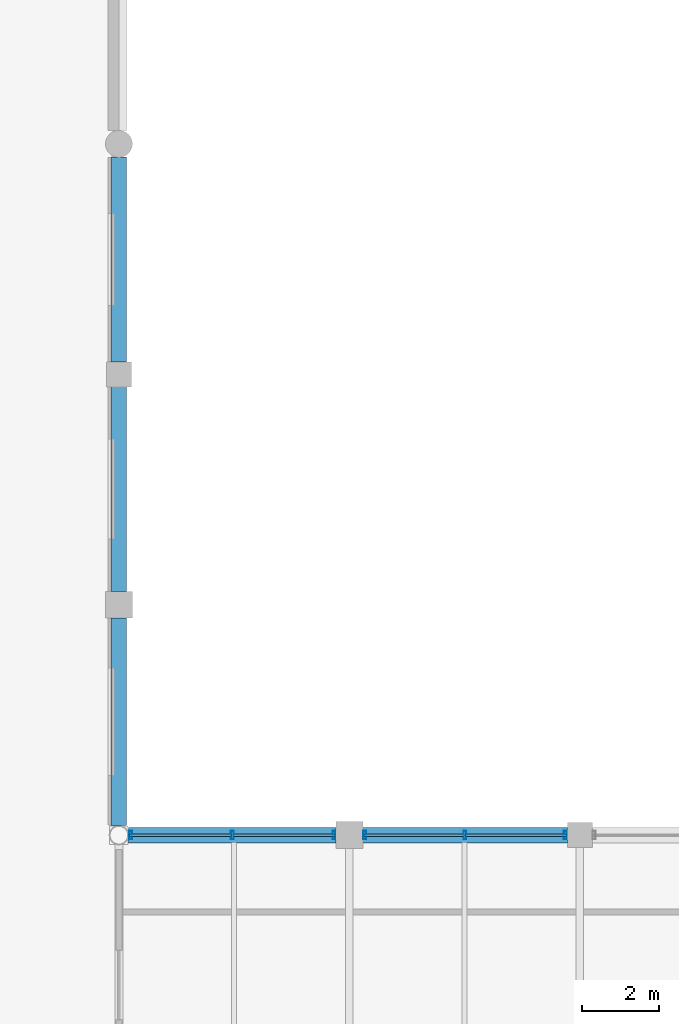
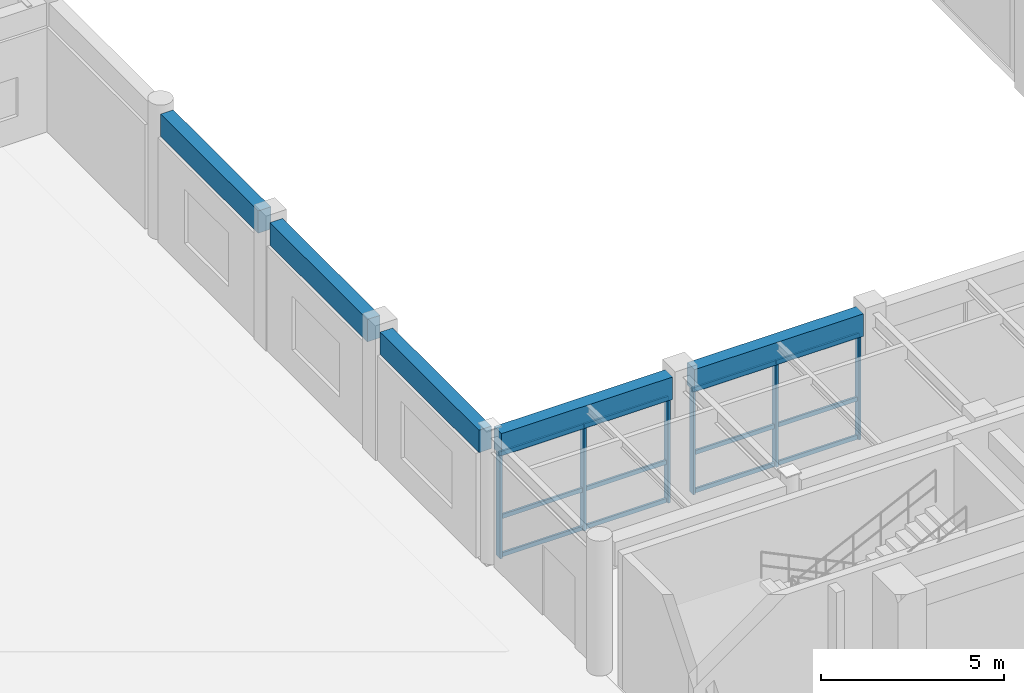
# One storey, part 25 of 116: 18 members, 5 beams, 2 elements without a shape of their own.
"""IFC4 building model written with IfcOpenShell, lengths in metres."""

from ifc_helpers import new_model, si_unit, direction, frame, origin, origin_2d, place, context, subcontext, project, spatial, rectangle, hollow_rectangle, extrude, material, material_profile, profile_set, type_object, element, aggregate, save


model = new_model("IFC4")

# Units and contexts
model_context = context("Model", 3, precision=1e-05, world=origin(), true_north=direction((0.0, 1.0)))
body_context = subcontext(model_context, "Body", "Model", "MODEL_VIEW")
ifc_project = project(units=[si_unit("LENGTHUNIT", "METRE"), si_unit("AREAUNIT", "SQUARE_METRE"), si_unit("VOLUMEUNIT", "CUBIC_METRE"), si_unit("PLANEANGLEUNIT", "RADIAN"), si_unit("MASSUNIT", "GRAM", prefix="KILO"), si_unit("THERMODYNAMICTEMPERATUREUNIT", "KELVIN"), si_unit("POWERUNIT", "WATT")], contexts=[model_context])

# Site, building, storey
site_placement = place(None, origin())
site = spatial("IfcSite", under=ifc_project, at=site_placement, CompositionType="ELEMENT")
building_placement = place(site_placement, origin())
building = spatial("IfcBuilding", under=site, at=building_placement, Name="Phaisarnlok Congress Hotel", CompositionType="ELEMENT")
storey_placement = place(building_placement, frame((0.0, 0.0, 10.5)))
storey = spatial("IfcBuildingStorey", under=building, at=storey_placement, Name="L02", CompositionType="ELEMENT", Elevation=10.5)

# Curtain wall, members
ifc_material_1 = material(Name="Thermally Broken Unitised Aluminium & Low-E Glazing", Category="aluminium")
curtain_wall_type_1 = type_object("IfcCurtainWallType", Name="CW-UNIT-16", PredefinedType="NOTDEFINED", material=ifc_material_1)
curtain_wall_1_placement = place(storey_placement, origin())
curtain_wall_1 = element("IfcCurtainWall", 1, at=curtain_wall_1_placement, inside=storey, type_object=curtain_wall_type_1, Name="Unitised curtain wall CW-16 (L02)", PredefinedType="NOTDEFINED")
ifc_material_2 = material(Name="Anodised Aluminium Alloy 6063-T6", Category="aluminium")
ifc_material_profile_1 = material_profile(ifc_material_2, hollow_rectangle(XDim=0.074951171875, YDim=0.219970703125, WallThickness=0.0048828125, at=origin_2d()), Name="ALU-M 75x220x5")
ifc_profile_set_1 = profile_set([ifc_material_profile_1], Name="Anodised Aluminium Alloy 6063-T6")
member_type_1 = type_object("IfcMemberType", Name="CWM-220", PredefinedType="MULLION", material=ifc_profile_set_1)
member_1_placement = place(storey_placement, frame((53.625, 96.0, 0.0), z_axis=(0.0, 0.0, 1.0), x_axis=(-1.0, 0.0, 0.0)))
member_1 = element("IfcMember", 2, at=member_1_placement, type_object=member_type_1, Name="Curtain wall mullion CWM-02", PredefinedType="MULLION", context=body_context, shape_type="SweptSolid", body=[
    extrude(hollow_rectangle(XDim=0.074951171875, YDim=0.219970703125, WallThickness=0.0048828125, at=origin_2d()), origin(), (0.0, 0.0, 1.0), 3.489990234375),
])
member_2_placement = place(storey_placement, frame((51.012451171875, 96.0, 0.0), z_axis=(0.0, 0.0, 1.0), x_axis=(-1.0, 0.0, 0.0)))
member_2 = element("IfcMember", 3, at=member_2_placement, type_object=member_type_1, Name="Curtain wall mullion CWM-02", PredefinedType="MULLION", context=body_context, shape_type="SweptSolid", body=[
    extrude(hollow_rectangle(XDim=0.074951171875, YDim=0.219970703125, WallThickness=0.0048828125, at=origin_2d()), origin(), (0.0, 0.0, 1.0), 3.489990234375),
])
member_3_placement = place(storey_placement, frame((48.39990234375, 96.0, 0.0), z_axis=(0.0, 0.0, 1.0), x_axis=(-1.0, 0.0, 0.0)))
member_3 = element("IfcMember", 4, at=member_3_placement, type_object=member_type_1, Name="Curtain wall mullion CWM-02", PredefinedType="MULLION", context=body_context, shape_type="SweptSolid", body=[
    extrude(hollow_rectangle(XDim=0.074951171875, YDim=0.219970703125, WallThickness=0.0048828125, at=origin_2d()), origin(), (0.0, 0.0, 1.0), 3.489990234375),
])

curtain_wall_type_2 = type_object("IfcCurtainWallType", Name="CW-UNIT-17", PredefinedType="NOTDEFINED", material=ifc_material_1)
curtain_wall_2_placement = place(storey_placement, origin())
curtain_wall_2 = element("IfcCurtainWall", 5, at=curtain_wall_2_placement, inside=storey, type_object=curtain_wall_type_2, Name="Unitised curtain wall CW-17 (L02)", PredefinedType="NOTDEFINED")
member_4_placement = place(storey_placement, frame((47.60009765625, 96.0, 0.0), z_axis=(0.0, 0.0, 1.0), x_axis=(-1.0, 0.0, 0.0)))
member_4 = element("IfcMember", 6, at=member_4_placement, type_object=member_type_1, Name="Curtain wall mullion CWM-02", PredefinedType="MULLION", context=body_context, shape_type="SweptSolid", body=[
    extrude(hollow_rectangle(XDim=0.074951171875, YDim=0.219970703125, WallThickness=0.0048828125, at=origin_2d()), origin(), (0.0, 0.0, 1.0), 3.489990234375),
])
member_5_placement = place(storey_placement, frame((44.951904296875, 96.0, 0.0), z_axis=(0.0, 0.0, 1.0), x_axis=(-1.0, 0.0, 0.0)))
member_5 = element("IfcMember", 7, at=member_5_placement, type_object=member_type_1, Name="Curtain wall mullion CWM-02", PredefinedType="MULLION", context=body_context, shape_type="SweptSolid", body=[
    extrude(hollow_rectangle(XDim=0.074951171875, YDim=0.219970703125, WallThickness=0.0048828125, at=origin_2d()), origin(), (0.0, 0.0, 1.0), 3.489990234375),
])
member_6_placement = place(storey_placement, frame((42.303955078125, 96.0, 0.0), z_axis=(0.0, 0.0, 1.0), x_axis=(-1.0, 0.0, 0.0)))
member_6 = element("IfcMember", 8, at=member_6_placement, type_object=member_type_1, Name="Curtain wall mullion CWM-02", PredefinedType="MULLION", context=body_context, shape_type="SweptSolid", body=[
    extrude(hollow_rectangle(XDim=0.074951171875, YDim=0.219970703125, WallThickness=0.0048828125, at=origin_2d()), origin(), (0.0, 0.0, 1.0), 3.489990234375),
])

# Member
ifc_material_profile_2 = material_profile(ifc_material_2, hollow_rectangle(XDim=0.06494140625, YDim=0.139892578125, WallThickness=0.00390625, at=origin_2d()), Name="ALU-T 65x140x4")
ifc_profile_set_2 = profile_set([ifc_material_profile_2], Name="Anodised Aluminium Alloy 6063-T6")
member_type_2 = type_object("IfcMemberType", Name="CWT-150", PredefinedType="USERDEFINED", material=ifc_profile_set_2)
member_7_placement = place(storey_placement, frame((53.64990234375, 96.0, 0.050048828125), z_axis=(-1.0, 0.0, 0.0), x_axis=(0.0, -1.0, 0.0)))
member_7 = element("IfcMember", 9, at=member_7_placement, type_object=member_type_2, Name="Curtain wall transom CWT-01", ObjectType="TRANSOM", PredefinedType="USERDEFINED", context=body_context, shape_type="SweptSolid", body=[
    extrude(hollow_rectangle(XDim=0.06494140625, YDim=0.139892578125, WallThickness=0.00390625, at=origin_2d()), origin(), (0.0, 0.0, 1.0), 2.622314453125),
])

member_8_placement = place(storey_placement, frame((53.64990234375, 96.0, 1.326171875), z_axis=(-1.0, 0.0, 0.0), x_axis=(0.0, -1.0, 0.0)))
member_8 = element("IfcMember", 10, at=member_8_placement, type_object=member_type_2, Name="Curtain wall transom CWT-01", ObjectType="TRANSOM", PredefinedType="USERDEFINED", context=body_context, shape_type="SweptSolid", body=[
    extrude(hollow_rectangle(XDim=0.06494140625, YDim=0.139892578125, WallThickness=0.00390625, at=origin_2d()), origin(), (0.0, 0.0, 1.0), 2.622314453125),
])

member_9_placement = place(storey_placement, frame((53.64990234375, 96.0, 3.43994140625), z_axis=(-1.0, 0.0, 0.0), x_axis=(0.0, -1.0, 0.0)))
member_9 = element("IfcMember", 11, at=member_9_placement, type_object=member_type_2, Name="Curtain wall transom CWT-01", ObjectType="TRANSOM", PredefinedType="USERDEFINED", context=body_context, shape_type="SweptSolid", body=[
    extrude(hollow_rectangle(XDim=0.06494140625, YDim=0.139892578125, WallThickness=0.00390625, at=origin_2d()), origin(), (0.0, 0.0, 1.0), 2.622314453125),
])

member_10_placement = place(storey_placement, frame((50.99755859375, 96.0, 0.050048828125), z_axis=(-1.0, 0.0, 0.0), x_axis=(0.0, -1.0, 0.0)))
member_10 = element("IfcMember", 12, at=member_10_placement, type_object=member_type_2, Name="Curtain wall transom CWT-01", ObjectType="TRANSOM", PredefinedType="USERDEFINED", context=body_context, shape_type="SweptSolid", body=[
    extrude(hollow_rectangle(XDim=0.06494140625, YDim=0.139892578125, WallThickness=0.00390625, at=origin_2d()), origin(), (0.0, 0.0, 1.0), 2.62255859375),
])

member_11_placement = place(storey_placement, frame((50.99755859375, 96.0, 1.326171875), z_axis=(-1.0, 0.0, 0.0), x_axis=(0.0, -1.0, 0.0)))
member_11 = element("IfcMember", 13, at=member_11_placement, type_object=member_type_2, Name="Curtain wall transom CWT-01", ObjectType="TRANSOM", PredefinedType="USERDEFINED", context=body_context, shape_type="SweptSolid", body=[
    extrude(hollow_rectangle(XDim=0.06494140625, YDim=0.139892578125, WallThickness=0.00390625, at=origin_2d()), origin(), (0.0, 0.0, 1.0), 2.62255859375),
])

member_12_placement = place(storey_placement, frame((50.99755859375, 96.0, 3.43994140625), z_axis=(-1.0, 0.0, 0.0), x_axis=(0.0, -1.0, 0.0)))
member_12 = element("IfcMember", 14, at=member_12_placement, type_object=member_type_2, Name="Curtain wall transom CWT-01", ObjectType="TRANSOM", PredefinedType="USERDEFINED", context=body_context, shape_type="SweptSolid", body=[
    extrude(hollow_rectangle(XDim=0.06494140625, YDim=0.139892578125, WallThickness=0.00390625, at=origin_2d()), origin(), (0.0, 0.0, 1.0), 2.62255859375),
])

aggregate(curtain_wall_1, [member_1, member_2, member_3, member_7, member_8, member_9, member_10, member_11, member_12])

member_13_placement = place(storey_placement, frame((47.625, 96.0, 0.050048828125), z_axis=(-1.0, 0.0, 0.0), x_axis=(0.0, -1.0, 0.0)))
member_13 = element("IfcMember", 15, at=member_13_placement, type_object=member_type_2, Name="Curtain wall transom CWT-01", ObjectType="TRANSOM", PredefinedType="USERDEFINED", context=body_context, shape_type="SweptSolid", body=[
    extrude(hollow_rectangle(XDim=0.06494140625, YDim=0.139892578125, WallThickness=0.00390625, at=origin_2d()), origin(), (0.0, 0.0, 1.0), 2.657958984375),
])

member_14_placement = place(storey_placement, frame((47.625, 96.0, 1.326171875), z_axis=(-1.0, 0.0, 0.0), x_axis=(0.0, -1.0, 0.0)))
member_14 = element("IfcMember", 16, at=member_14_placement, type_object=member_type_2, Name="Curtain wall transom CWT-01", ObjectType="TRANSOM", PredefinedType="USERDEFINED", context=body_context, shape_type="SweptSolid", body=[
    extrude(hollow_rectangle(XDim=0.06494140625, YDim=0.139892578125, WallThickness=0.00390625, at=origin_2d()), origin(), (0.0, 0.0, 1.0), 2.657958984375),
])

member_15_placement = place(storey_placement, frame((47.625, 96.0, 3.43994140625), z_axis=(-1.0, 0.0, 0.0), x_axis=(0.0, -1.0, 0.0)))
member_15 = element("IfcMember", 17, at=member_15_placement, type_object=member_type_2, Name="Curtain wall transom CWT-01", ObjectType="TRANSOM", PredefinedType="USERDEFINED", context=body_context, shape_type="SweptSolid", body=[
    extrude(hollow_rectangle(XDim=0.06494140625, YDim=0.139892578125, WallThickness=0.00390625, at=origin_2d()), origin(), (0.0, 0.0, 1.0), 2.657958984375),
])

member_16_placement = place(storey_placement, frame((44.93701171875, 96.0, 0.050048828125), z_axis=(-1.0, 0.0, 0.0), x_axis=(0.0, -1.0, 0.0)))
member_16 = element("IfcMember", 18, at=member_16_placement, type_object=member_type_2, Name="Curtain wall transom CWT-01", ObjectType="TRANSOM", PredefinedType="USERDEFINED", context=body_context, shape_type="SweptSolid", body=[
    extrude(hollow_rectangle(XDim=0.06494140625, YDim=0.139892578125, WallThickness=0.00390625, at=origin_2d()), origin(), (0.0, 0.0, 1.0), 2.657958984375),
])

member_17_placement = place(storey_placement, frame((44.93701171875, 96.0, 1.326171875), z_axis=(-1.0, 0.0, 0.0), x_axis=(0.0, -1.0, 0.0)))
member_17 = element("IfcMember", 19, at=member_17_placement, type_object=member_type_2, Name="Curtain wall transom CWT-01", ObjectType="TRANSOM", PredefinedType="USERDEFINED", context=body_context, shape_type="SweptSolid", body=[
    extrude(hollow_rectangle(XDim=0.06494140625, YDim=0.139892578125, WallThickness=0.00390625, at=origin_2d()), origin(), (0.0, 0.0, 1.0), 2.657958984375),
])

member_18_placement = place(storey_placement, frame((44.93701171875, 96.0, 3.43994140625), z_axis=(-1.0, 0.0, 0.0), x_axis=(0.0, -1.0, 0.0)))
member_18 = element("IfcMember", 20, at=member_18_placement, type_object=member_type_2, Name="Curtain wall transom CWT-01", ObjectType="TRANSOM", PredefinedType="USERDEFINED", context=body_context, shape_type="SweptSolid", body=[
    extrude(hollow_rectangle(XDim=0.06494140625, YDim=0.139892578125, WallThickness=0.00390625, at=origin_2d()), origin(), (0.0, 0.0, 1.0), 2.657958984375),
])

aggregate(curtain_wall_2, [member_4, member_5, member_6, member_13, member_14, member_15, member_16, member_17, member_18])

# Beams
ifc_material_3 = material(Name="Concrete C40/50", Category="concrete")
ifc_material_profile_3 = material_profile(ifc_material_3, rectangle(XDim=0.39990234375, YDim=0.75, at=origin_2d()), Name="RC 400x750")
ifc_profile_set_3 = profile_set([ifc_material_profile_3], Name="Concrete C40/50")
beam_type = type_object("IfcBeamType", Name="SP-RC-400x750", PredefinedType="SPANDREL", material=ifc_profile_set_3)
for number, where, z_axis, x_axis, name in (
    (21, (42.2490234375, 96.0, 3.864990234375), (1.0, 0.0, 0.0), (0.0, 1.0, 0.0), "Beam SP-02"),
    (22, (42.0, 96.2490234375, 3.864990234375), (0.0, 1.0, 0.0), (-1.0, 0.0, 0.0), "Beam SP-02"),
):
    element("IfcBeam", number, at=place(storey_placement, frame(where, z_axis=z_axis, x_axis=x_axis)), inside=storey, type_object=beam_type, Name=name, PredefinedType="SPANDREL", context=body_context, shape_type="SweptSolid", body=[
        extrude(rectangle(XDim=0.39990234375, YDim=0.75, at=origin_2d()), origin(), (0.0, 0.0, 1.0), 5.406005859375),
    ])
for number, where, z_axis, x_axis, name in (
    (23, (42.0, 102.344970703125, 3.864990234375), (0.0, 1.0, 0.0), (-1.0, 0.0, 0.0), "Beam SP-02"),
    (24, (42.0, 108.320068359375, 3.864990234375), (0.0, 1.0, 0.0), (-1.0, 0.0, 0.0), "Beam SP-02"),
    (25, (48.344970703125, 96.0, 3.864990234375), (1.0, 0.0, 0.0), (0.0, 1.0, 0.0), "Beam SP-02"),
):
    element("IfcBeam", number, at=place(storey_placement, frame(where, z_axis=z_axis, x_axis=x_axis)), inside=storey, type_object=beam_type, Name=name, PredefinedType="SPANDREL", context=body_context, shape_type="SweptSolid", body=[
        extrude(rectangle(XDim=0.39990234375, YDim=0.75, at=origin_2d()), origin(), (0.0, 0.0, 1.0), 5.3349609375),
    ])

save(model, "model.ifc")
